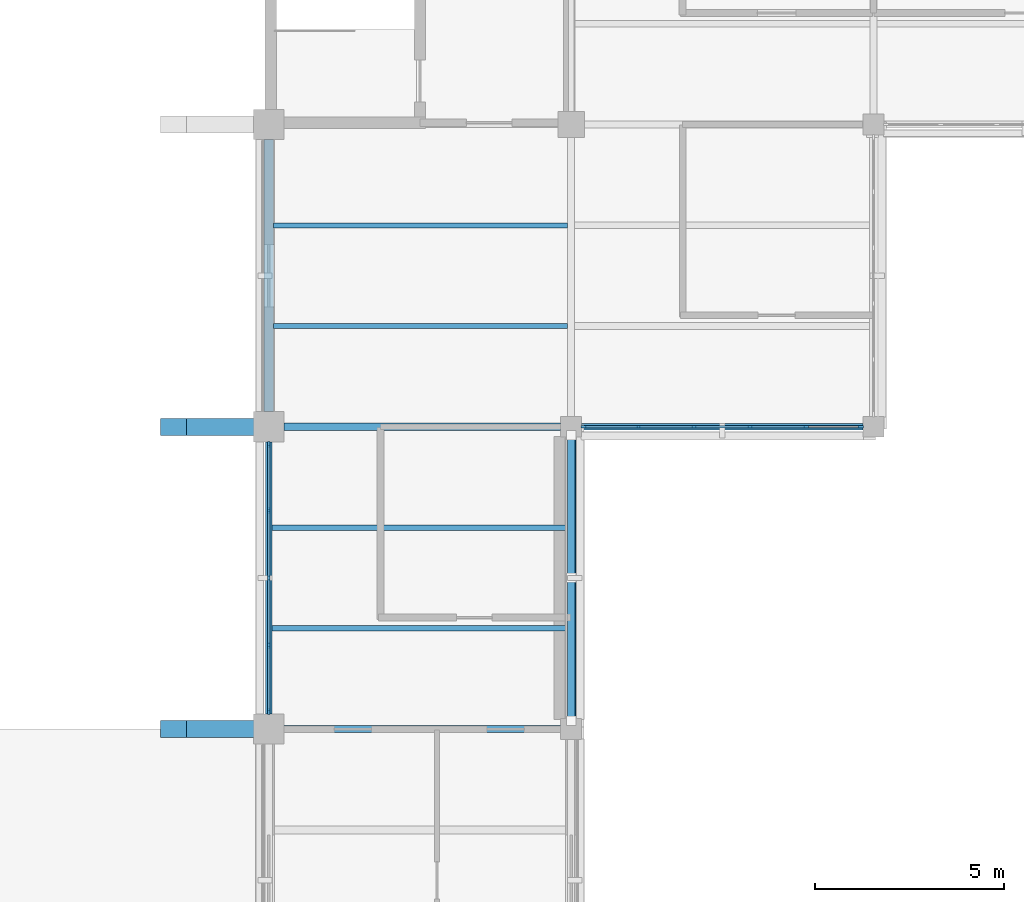
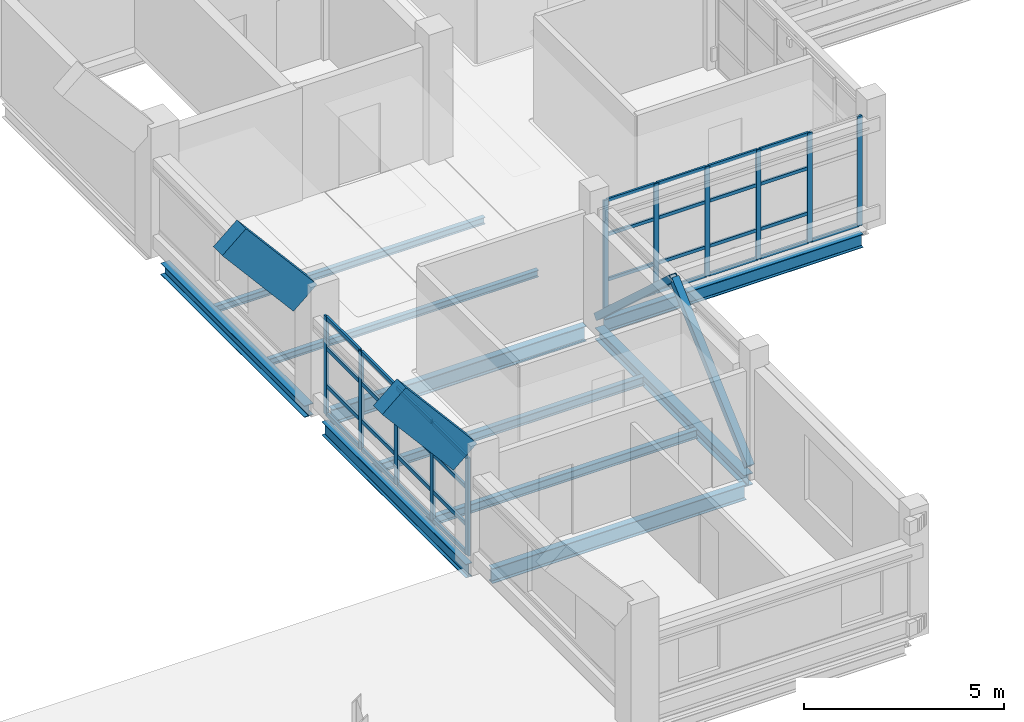
# One storey, part 19 of 92: 46 members, 12 beams, 2 elements without a shape of their own.
"""IFC4 building model written with IfcOpenShell, lengths in metres."""

from ifc_helpers import new_model, si_unit, derived_unit, direction, frame, origin, origin_2d, place, context, subcontext, project, spatial, rectangle, hollow_rectangle, i_section, extrude, material, layer, layer_set, material_profile, profile_set, type_object, element, aggregate, save


model = new_model("IFC4")

# Units and contexts
model_context = context("Model", 3, precision=1e-05, world=origin(), true_north=direction((0.0, 1.0)))
body_context = subcontext(model_context, "Body", "Model", "MODEL_VIEW")
ifc_project = project(units=[si_unit("LENGTHUNIT", "METRE"), si_unit("AREAUNIT", "SQUARE_METRE"), si_unit("VOLUMEUNIT", "CUBIC_METRE"), si_unit("PLANEANGLEUNIT", "RADIAN"), si_unit("MASSUNIT", "GRAM", prefix="KILO"), derived_unit("THERMALTRANSMITTANCEUNIT", [(si_unit("MASSUNIT", "GRAM", prefix="KILO"), 1), (si_unit("TIMEUNIT", "SECOND"), -3), (si_unit("THERMODYNAMICTEMPERATUREUNIT", "KELVIN"), -1)])], contexts=[model_context])

# Site, building, storey
site_placement = place(None, origin())
site = spatial("IfcSite", under=ifc_project, at=site_placement, CompositionType="ELEMENT")
building_placement = place(site_placement, origin())
building = spatial("IfcBuilding", under=site, at=building_placement, Name="Veyamyaing Civic Hall", CompositionType="ELEMENT")
storey_placement = place(building_placement, frame((0.0, 0.0, 17.820068359375)))
storey = spatial("IfcBuildingStorey", under=building, at=storey_placement, Name="L04", CompositionType="ELEMENT", Elevation=17.820068359375)

# Beams
ifc_material_1 = material(Name="Steel ASTM A992", Category="steel")
ifc_material_profile_1 = material_profile(ifc_material_1, i_section(OverallWidth=0.18994140625, OverallDepth=0.45703125, WebThickness=0.009033203125, FlangeThickness=0.014404296875, FilletRadius=0.010009765625, at=origin_2d()), Name="W460X74")
ifc_profile_set_1 = profile_set([ifc_material_profile_1], Name="Steel ASTM A992")
beam_type_1 = type_object("IfcBeamType", Name="B-09", PredefinedType="BEAM", material=ifc_profile_set_1)
beam_1_placement = place(storey_placement, frame((104.39990234375, 32.0, -0.463623046875), z_axis=(1.0, 0.0, 0.0), x_axis=(0.0, 1.0, 0.0)))
element("IfcBeam", 1, at=beam_1_placement, inside=storey, type_object=beam_type_1, Name="Girder B-09 L04 Grid E 14-15", PredefinedType="BEAM", context=body_context, shape_type="SweptSolid", body=[
    extrude(i_section(OverallWidth=0.18994140625, OverallDepth=0.45703125, WebThickness=0.009033203125, FlangeThickness=0.014404296875, FilletRadius=0.010009765625, at=origin_2d()), origin(), (0.0, 0.0, 1.0), 7.3251953125),
])
ifc_material_profile_2 = material_profile(ifc_material_1, i_section(OverallWidth=0.179931640625, OverallDepth=0.4130859375, WebThickness=0.009765625, FlangeThickness=0.01611328125, FilletRadius=0.010009765625, at=origin_2d()), Name="W410X74")
ifc_profile_set_2 = profile_set([ifc_material_profile_2], Name="Steel ASTM A992")
beam_type_2 = type_object("IfcBeamType", Name="B-10", PredefinedType="SPANDREL", material=ifc_profile_set_2)
beam_2_placement = place(storey_placement, frame((112.27490234375, 40.0, -0.441650390625), z_axis=(1.0, 0.0, 0.0), x_axis=(0.0, 1.0, 0.0)))
element("IfcBeam", 2, at=beam_2_placement, inside=storey, type_object=beam_type_2, Name="Girder B-10 L04 Grid F 15-16", PredefinedType="SPANDREL", context=body_context, shape_type="SweptSolid", body=[
    extrude(i_section(OverallWidth=0.179931640625, OverallDepth=0.4130859375, WebThickness=0.009765625, FlangeThickness=0.01611328125, FilletRadius=0.010009765625, at=origin_2d()), origin(), (0.0, 0.0, 1.0), 7.4501953125),
])
ifc_material_profile_3 = material_profile(ifc_material_1, i_section(OverallWidth=0.194091796875, OverallDepth=0.468994140625, WebThickness=0.0126953125, FlangeThickness=0.0205078125, FilletRadius=0.010009765625, at=origin_2d()), Name="W460X106")
ifc_profile_set_3 = profile_set([ifc_material_profile_3], Name="Steel ASTM A992")
beam_type_3 = type_object("IfcBeamType", Name="B-18", PredefinedType="BEAM", material=ifc_profile_set_3)
beam_3_placement = place(storey_placement, frame((104.39990234375, 40.0, -0.469482421875), z_axis=(1.0, 0.0, 0.0), x_axis=(0.0, 1.0, 0.0)))
element("IfcBeam", 3, at=beam_3_placement, inside=storey, type_object=beam_type_3, Name="Girder B-18 L04 Grid F 14-15", PredefinedType="BEAM", context=body_context, shape_type="SweptSolid", body=[
    extrude(i_section(OverallWidth=0.194091796875, OverallDepth=0.468994140625, WebThickness=0.0126953125, FlangeThickness=0.0205078125, FilletRadius=0.010009765625, at=origin_2d()), origin(), (0.0, 0.0, 1.0), 7.3251953125),
])
ifc_material_profile_4 = material_profile(ifc_material_1, i_section(OverallWidth=0.180908203125, OverallDepth=0.4169921875, WebThickness=0.010986328125, FlangeThickness=0.018310546875, FilletRadius=0.010009765625, at=origin_2d()), Name="W410X85")
ifc_profile_set_4 = profile_set([ifc_material_profile_4], Name="Steel ASTM A992")
beam_type_4 = type_object("IfcBeamType", Name="B-19", PredefinedType="SPANDREL", material=ifc_profile_set_4)
beam_4_placement = place(storey_placement, frame((104.0, 32.39990234375, -0.443603515625), z_axis=(0.0, 1.0, 0.0), x_axis=(-1.0, 0.0, 0.0)))
element("IfcBeam", 4, at=beam_4_placement, inside=storey, type_object=beam_type_4, Name="Girder B-19 L04 Grid 14 E-F", PredefinedType="SPANDREL", context=body_context, shape_type="SweptSolid", body=[
    extrude(i_section(OverallWidth=0.180908203125, OverallDepth=0.4169921875, WebThickness=0.010986328125, FlangeThickness=0.018310546875, FilletRadius=0.010009765625, at=origin_2d()), origin(), (0.0, 0.0, 1.0), 7.2001953125),
])
ifc_material_profile_5 = material_profile(ifc_material_1, i_section(OverallWidth=0.25390625, OverallDepth=0.35302734375, WebThickness=0.009521484375, FlangeThickness=0.016357421875, FilletRadius=0.011962890625, at=origin_2d()), Name="W360X91")
ifc_profile_set_5 = profile_set([ifc_material_profile_5], Name="Steel ASTM A992")
beam_type_5 = type_object("IfcBeamType", Name="B-20", PredefinedType="SPANDREL", material=ifc_profile_set_5)
beam_5_placement = place(storey_placement, frame((104.0, 40.39990234375, -0.41162109375), z_axis=(0.0, 1.0, 0.0), x_axis=(-1.0, 0.0, 0.0)))
element("IfcBeam", 5, at=beam_5_placement, inside=storey, type_object=beam_type_5, Name="Girder B-20 L04 Grid 14 F-G", PredefinedType="SPANDREL", context=body_context, shape_type="SweptSolid", body=[
    extrude(i_section(OverallWidth=0.25390625, OverallDepth=0.35302734375, WebThickness=0.009521484375, FlangeThickness=0.016357421875, FilletRadius=0.011962890625, at=origin_2d()), origin(), (0.0, 0.0, 1.0), 7.2001953125),
])
beam_6_placement = place(storey_placement, frame((112.0, 32.27490234375, -0.41162109375), z_axis=(0.0, 1.0, 0.0), x_axis=(-1.0, 0.0, 0.0)))
element("IfcBeam", 6, at=beam_6_placement, inside=storey, type_object=beam_type_5, Name="Girder B-20 L04 Grid 15 E-F", PredefinedType="SPANDREL", context=body_context, shape_type="SweptSolid", body=[
    extrude(i_section(OverallWidth=0.25390625, OverallDepth=0.35302734375, WebThickness=0.009521484375, FlangeThickness=0.016357421875, FilletRadius=0.011962890625, at=origin_2d()), origin(), (0.0, 0.0, 1.0), 7.4501953125),
])

# Members
ifc_material_2 = material(Name="Steel S355J2", Category="steel")
ifc_material_profile_6 = material_profile(ifc_material_2, hollow_rectangle(XDim=0.202880859375, YDim=0.202880859375, WallThickness=0.0126953125, at=origin_2d()), Name="HSS203X203X12.7")
ifc_profile_set_6 = profile_set([ifc_material_profile_6], Name="Steel S355J2")
member_type_1 = type_object("IfcMemberType", Name="BR-02", PredefinedType="BRACE", material=ifc_profile_set_6)
for number, where, z_axis, x_axis, name in (
    (7, (112.0, 32.219970703125, 0.050048828125), (0.0, 0.737646368513, 0.675187259224), (-1.0, 0.0, 0.0), "Seismic chevron brace BR-02 BF-CE L04.L"),
    (8, (112.0, 39.780029296875, 0.050048828125), (0.0, -0.737646368513, 0.675187259224), (1.0, 0.0, 0.0), "Seismic chevron brace BR-02 BF-CE L04.R"),
):
    element("IfcMember", number, at=place(storey_placement, frame(where, z_axis=z_axis, x_axis=x_axis)), inside=storey, type_object=member_type_1, Name=name, PredefinedType="BRACE", context=body_context, shape_type="SweptSolid", body=[
        extrude(hollow_rectangle(XDim=0.202880859375, YDim=0.202880859375, WallThickness=0.0126953125, at=origin_2d()), origin(), (0.0, 0.0, 1.0), 5.12451171875),
    ])

# Curtain wall, members
ifc_material_3 = material(Name="Anodised aluminium 6063-T6", Category="aluminium")
ifc_layer_1 = layer(ifc_material_3, 0.159912109375, Name="Anodised aluminium 6063-T6")
ifc_layer_set_1 = layer_set([ifc_layer_1], Name="Anodised aluminium 6063-T6")
curtain_wall_type_1 = type_object("IfcCurtainWallType", Name="CW-08", PredefinedType="NOTDEFINED", material=ifc_layer_set_1)
curtain_wall_1_placement = place(storey_placement, origin())
curtain_wall_1 = element("IfcCurtainWall", 9, at=curtain_wall_1_placement, inside=storey, type_object=curtain_wall_type_1, Name="Unitized curtain wall CW-08 L04 W 14.5", PredefinedType="NOTDEFINED")
ifc_material_profile_7 = material_profile(ifc_material_3, rectangle(XDim=0.06494140625, YDim=0.159912109375, at=origin_2d()), Name="ALU-MUL-65X160")
ifc_profile_set_7 = profile_set([ifc_material_profile_7], Name="Anodised aluminium 6063-T6")
member_type_2 = type_object("IfcMemberType", Name="CWM-01", PredefinedType="MULLION", material=ifc_profile_set_7)
member_1_placement = place(storey_placement, frame((104.0, 32.46240234375, 0.0), z_axis=(0.0, 0.0, 1.0), x_axis=(-1.0, 0.0, 0.0)))
member_1 = element("IfcMember", 10, at=member_1_placement, type_object=member_type_2, Name="CW-08 mullion 1", PredefinedType="MULLION", context=body_context, shape_type="SweptSolid", body=[
    extrude(rectangle(XDim=0.06494140625, YDim=0.159912109375, at=origin_2d()), origin(), (0.0, 0.0, 1.0), 3.001953125),
])
member_2_placement = place(storey_placement, frame((104.0, 34.215087890625, 0.0), z_axis=(0.0, 0.0, 1.0), x_axis=(-1.0, 0.0, 0.0)))
member_2 = element("IfcMember", 11, at=member_2_placement, type_object=member_type_2, Name="CW-08 mullion 2", PredefinedType="MULLION", context=body_context, shape_type="SweptSolid", body=[
    extrude(rectangle(XDim=0.06494140625, YDim=0.159912109375, at=origin_2d()), origin(), (0.0, 0.0, 1.0), 3.001953125),
])
member_3_placement = place(storey_placement, frame((104.0, 36.0, 0.0), z_axis=(0.0, 0.0, 1.0), x_axis=(-1.0, 0.0, 0.0)))
member_3 = element("IfcMember", 12, at=member_3_placement, type_object=member_type_2, Name="CW-08 mullion 3", PredefinedType="MULLION", context=body_context, shape_type="SweptSolid", body=[
    extrude(rectangle(XDim=0.06494140625, YDim=0.159912109375, at=origin_2d()), origin(), (0.0, 0.0, 1.0), 3.001953125),
])
member_4_placement = place(storey_placement, frame((104.0, 37.784912109375, 0.0), z_axis=(0.0, 0.0, 1.0), x_axis=(-1.0, 0.0, 0.0)))
member_4 = element("IfcMember", 13, at=member_4_placement, type_object=member_type_2, Name="CW-08 mullion 4", PredefinedType="MULLION", context=body_context, shape_type="SweptSolid", body=[
    extrude(rectangle(XDim=0.06494140625, YDim=0.159912109375, at=origin_2d()), origin(), (0.0, 0.0, 1.0), 3.001953125),
])
member_5_placement = place(storey_placement, frame((104.0, 39.53759765625, 0.0), z_axis=(0.0, 0.0, 1.0), x_axis=(-1.0, 0.0, 0.0)))
member_5 = element("IfcMember", 14, at=member_5_placement, type_object=member_type_2, Name="CW-08 mullion 5", PredefinedType="MULLION", context=body_context, shape_type="SweptSolid", body=[
    extrude(rectangle(XDim=0.06494140625, YDim=0.159912109375, at=origin_2d()), origin(), (0.0, 0.0, 1.0), 3.001953125),
])

ifc_layer_2 = layer(ifc_material_3, 0.139892578125, Name="Anodised aluminium 6063-T6")
ifc_layer_set_2 = layer_set([ifc_layer_2], Name="Anodised aluminium 6063-T6")
curtain_wall_type_2 = type_object("IfcCurtainWallType", Name="CW-04", PredefinedType="NOTDEFINED", material=ifc_layer_set_2)
curtain_wall_2_placement = place(storey_placement, origin())
curtain_wall_2 = element("IfcCurtainWall", 15, at=curtain_wall_2_placement, inside=storey, type_object=curtain_wall_type_2, Name="Unitized curtain wall CW-04 L04 S 15.6", PredefinedType="NOTDEFINED")
ifc_material_profile_8 = material_profile(ifc_material_3, rectangle(XDim=0.06005859375, YDim=0.139892578125, at=origin_2d()), Name="ALU-MUL-60X140")
ifc_profile_set_8 = profile_set([ifc_material_profile_8], Name="Anodised aluminium 6063-T6")
member_type_3 = type_object("IfcMemberType", Name="CWM-03", PredefinedType="MULLION", material=ifc_profile_set_8)
member_6_placement = place(storey_placement, frame((112.3349609375, 40.0, 0.0), z_axis=(0.0, 0.0, 1.0), x_axis=(0.0, 1.0, 0.0)))
member_6 = element("IfcMember", 16, at=member_6_placement, type_object=member_type_3, Name="CW-04 mullion 1", PredefinedType="MULLION", context=body_context, shape_type="SweptSolid", body=[
    extrude(rectangle(XDim=0.06005859375, YDim=0.139892578125, at=origin_2d()), origin(), (0.0, 0.0, 1.0), 3.35205078125),
])
member_7_placement = place(storey_placement, frame((113.782958984375, 40.0, 0.0), z_axis=(0.0, 0.0, 1.0), x_axis=(0.0, 1.0, 0.0)))
member_7 = element("IfcMember", 17, at=member_7_placement, type_object=member_type_3, Name="CW-04 mullion 2", PredefinedType="MULLION", context=body_context, shape_type="SweptSolid", body=[
    extrude(rectangle(XDim=0.06005859375, YDim=0.139892578125, at=origin_2d()), origin(), (0.0, 0.0, 1.0), 3.35205078125),
])
member_8_placement = place(storey_placement, frame((115.260986328125, 40.0, 0.0), z_axis=(0.0, 0.0, 1.0), x_axis=(0.0, 1.0, 0.0)))
member_8 = element("IfcMember", 18, at=member_8_placement, type_object=member_type_3, Name="CW-04 mullion 3", PredefinedType="MULLION", context=body_context, shape_type="SweptSolid", body=[
    extrude(rectangle(XDim=0.06005859375, YDim=0.139892578125, at=origin_2d()), origin(), (0.0, 0.0, 1.0), 3.35205078125),
])
member_9_placement = place(storey_placement, frame((116.739013671875, 40.0, 0.0), z_axis=(0.0, 0.0, 1.0), x_axis=(0.0, 1.0, 0.0)))
member_9 = element("IfcMember", 19, at=member_9_placement, type_object=member_type_3, Name="CW-04 mullion 4", PredefinedType="MULLION", context=body_context, shape_type="SweptSolid", body=[
    extrude(rectangle(XDim=0.06005859375, YDim=0.139892578125, at=origin_2d()), origin(), (0.0, 0.0, 1.0), 3.35205078125),
])
member_10_placement = place(storey_placement, frame((118.217041015625, 40.0, 0.0), z_axis=(0.0, 0.0, 1.0), x_axis=(0.0, 1.0, 0.0)))
member_10 = element("IfcMember", 20, at=member_10_placement, type_object=member_type_3, Name="CW-04 mullion 5", PredefinedType="MULLION", context=body_context, shape_type="SweptSolid", body=[
    extrude(rectangle(XDim=0.06005859375, YDim=0.139892578125, at=origin_2d()), origin(), (0.0, 0.0, 1.0), 3.35205078125),
])
member_11_placement = place(storey_placement, frame((119.6650390625, 40.0, 0.0), z_axis=(0.0, 0.0, 1.0), x_axis=(0.0, 1.0, 0.0)))
member_11 = element("IfcMember", 21, at=member_11_placement, type_object=member_type_3, Name="CW-04 mullion 6", PredefinedType="MULLION", context=body_context, shape_type="SweptSolid", body=[
    extrude(rectangle(XDim=0.06005859375, YDim=0.139892578125, at=origin_2d()), origin(), (0.0, 0.0, 1.0), 3.35205078125),
])

# Member
ifc_material_profile_9 = material_profile(ifc_material_3, rectangle(XDim=0.06494140625, YDim=0.1201171875, at=origin_2d()), Name="ALU-TRN-65X120")
ifc_profile_set_9 = profile_set([ifc_material_profile_9], Name="Anodised aluminium 6063-T6")
member_type_4 = type_object("IfcMemberType", Name="CWT-01", PredefinedType="USERDEFINED", material=ifc_profile_set_9)
member_12_placement = place(storey_placement, frame((104.0, 32.4951171875, 0.032470703125), z_axis=(0.0, 1.0, 0.0), x_axis=(-1.0, 0.0, 0.0)))
member_12 = element("IfcMember", 22, at=member_12_placement, type_object=member_type_4, Name="CW-08 transom 1.1", ObjectType="TRANSOM", PredefinedType="USERDEFINED", context=body_context, shape_type="SweptSolid", body=[
    extrude(rectangle(XDim=0.06494140625, YDim=0.1201171875, at=origin_2d()), origin(), (0.0, 0.0, 1.0), 1.6875),
])

member_13_placement = place(storey_placement, frame((104.0, 32.4951171875, 0.89990234375), z_axis=(0.0, 1.0, 0.0), x_axis=(-1.0, 0.0, 0.0)))
member_13 = element("IfcMember", 23, at=member_13_placement, type_object=member_type_4, Name="CW-08 transom 1.2", ObjectType="TRANSOM", PredefinedType="USERDEFINED", context=body_context, shape_type="SweptSolid", body=[
    extrude(rectangle(XDim=0.06494140625, YDim=0.1201171875, at=origin_2d()), origin(), (0.0, 0.0, 1.0), 1.6875),
])

member_14_placement = place(storey_placement, frame((104.0, 32.4951171875, 2.041259765625), z_axis=(0.0, 1.0, 0.0), x_axis=(-1.0, 0.0, 0.0)))
member_14 = element("IfcMember", 24, at=member_14_placement, type_object=member_type_4, Name="CW-08 transom 1.3", ObjectType="TRANSOM", PredefinedType="USERDEFINED", context=body_context, shape_type="SweptSolid", body=[
    extrude(rectangle(XDim=0.06494140625, YDim=0.1201171875, at=origin_2d()), origin(), (0.0, 0.0, 1.0), 1.6875),
])

member_15_placement = place(storey_placement, frame((104.0, 32.4951171875, 2.969482421875), z_axis=(0.0, 1.0, 0.0), x_axis=(-1.0, 0.0, 0.0)))
member_15 = element("IfcMember", 25, at=member_15_placement, type_object=member_type_4, Name="CW-08 transom 1.4", ObjectType="TRANSOM", PredefinedType="USERDEFINED", context=body_context, shape_type="SweptSolid", body=[
    extrude(rectangle(XDim=0.06494140625, YDim=0.1201171875, at=origin_2d()), origin(), (0.0, 0.0, 1.0), 1.6875),
])

member_16_placement = place(storey_placement, frame((104.0, 34.24755859375, 0.032470703125), z_axis=(0.0, 1.0, 0.0), x_axis=(-1.0, 0.0, 0.0)))
member_16 = element("IfcMember", 26, at=member_16_placement, type_object=member_type_4, Name="CW-08 transom 2.1", ObjectType="TRANSOM", PredefinedType="USERDEFINED", context=body_context, shape_type="SweptSolid", body=[
    extrude(rectangle(XDim=0.06494140625, YDim=0.1201171875, at=origin_2d()), origin(), (0.0, 0.0, 1.0), 1.719970703125),
])

member_17_placement = place(storey_placement, frame((104.0, 34.24755859375, 0.89990234375), z_axis=(0.0, 1.0, 0.0), x_axis=(-1.0, 0.0, 0.0)))
member_17 = element("IfcMember", 27, at=member_17_placement, type_object=member_type_4, Name="CW-08 transom 2.2", ObjectType="TRANSOM", PredefinedType="USERDEFINED", context=body_context, shape_type="SweptSolid", body=[
    extrude(rectangle(XDim=0.06494140625, YDim=0.1201171875, at=origin_2d()), origin(), (0.0, 0.0, 1.0), 1.719970703125),
])

member_18_placement = place(storey_placement, frame((104.0, 34.24755859375, 2.041259765625), z_axis=(0.0, 1.0, 0.0), x_axis=(-1.0, 0.0, 0.0)))
member_18 = element("IfcMember", 28, at=member_18_placement, type_object=member_type_4, Name="CW-08 transom 2.3", ObjectType="TRANSOM", PredefinedType="USERDEFINED", context=body_context, shape_type="SweptSolid", body=[
    extrude(rectangle(XDim=0.06494140625, YDim=0.1201171875, at=origin_2d()), origin(), (0.0, 0.0, 1.0), 1.719970703125),
])

member_19_placement = place(storey_placement, frame((104.0, 34.24755859375, 2.969482421875), z_axis=(0.0, 1.0, 0.0), x_axis=(-1.0, 0.0, 0.0)))
member_19 = element("IfcMember", 29, at=member_19_placement, type_object=member_type_4, Name="CW-08 transom 2.4", ObjectType="TRANSOM", PredefinedType="USERDEFINED", context=body_context, shape_type="SweptSolid", body=[
    extrude(rectangle(XDim=0.06494140625, YDim=0.1201171875, at=origin_2d()), origin(), (0.0, 0.0, 1.0), 1.719970703125),
])

member_20_placement = place(storey_placement, frame((104.0, 36.032470703125, 0.032470703125), z_axis=(0.0, 1.0, 0.0), x_axis=(-1.0, 0.0, 0.0)))
member_20 = element("IfcMember", 30, at=member_20_placement, type_object=member_type_4, Name="CW-08 transom 3.1", ObjectType="TRANSOM", PredefinedType="USERDEFINED", context=body_context, shape_type="SweptSolid", body=[
    extrude(rectangle(XDim=0.06494140625, YDim=0.1201171875, at=origin_2d()), origin(), (0.0, 0.0, 1.0), 1.719970703125),
])

member_21_placement = place(storey_placement, frame((104.0, 36.032470703125, 0.89990234375), z_axis=(0.0, 1.0, 0.0), x_axis=(-1.0, 0.0, 0.0)))
member_21 = element("IfcMember", 31, at=member_21_placement, type_object=member_type_4, Name="CW-08 transom 3.2", ObjectType="TRANSOM", PredefinedType="USERDEFINED", context=body_context, shape_type="SweptSolid", body=[
    extrude(rectangle(XDim=0.06494140625, YDim=0.1201171875, at=origin_2d()), origin(), (0.0, 0.0, 1.0), 1.719970703125),
])

member_22_placement = place(storey_placement, frame((104.0, 36.032470703125, 2.041259765625), z_axis=(0.0, 1.0, 0.0), x_axis=(-1.0, 0.0, 0.0)))
member_22 = element("IfcMember", 32, at=member_22_placement, type_object=member_type_4, Name="CW-08 transom 3.3", ObjectType="TRANSOM", PredefinedType="USERDEFINED", context=body_context, shape_type="SweptSolid", body=[
    extrude(rectangle(XDim=0.06494140625, YDim=0.1201171875, at=origin_2d()), origin(), (0.0, 0.0, 1.0), 1.719970703125),
])

member_23_placement = place(storey_placement, frame((104.0, 36.032470703125, 2.969482421875), z_axis=(0.0, 1.0, 0.0), x_axis=(-1.0, 0.0, 0.0)))
member_23 = element("IfcMember", 33, at=member_23_placement, type_object=member_type_4, Name="CW-08 transom 3.4", ObjectType="TRANSOM", PredefinedType="USERDEFINED", context=body_context, shape_type="SweptSolid", body=[
    extrude(rectangle(XDim=0.06494140625, YDim=0.1201171875, at=origin_2d()), origin(), (0.0, 0.0, 1.0), 1.719970703125),
])

member_24_placement = place(storey_placement, frame((104.0, 37.8173828125, 0.032470703125), z_axis=(0.0, 1.0, 0.0), x_axis=(-1.0, 0.0, 0.0)))
member_24 = element("IfcMember", 34, at=member_24_placement, type_object=member_type_4, Name="CW-08 transom 4.1", ObjectType="TRANSOM", PredefinedType="USERDEFINED", context=body_context, shape_type="SweptSolid", body=[
    extrude(rectangle(XDim=0.06494140625, YDim=0.1201171875, at=origin_2d()), origin(), (0.0, 0.0, 1.0), 1.6875),
])

member_25_placement = place(storey_placement, frame((104.0, 37.8173828125, 0.89990234375), z_axis=(0.0, 1.0, 0.0), x_axis=(-1.0, 0.0, 0.0)))
member_25 = element("IfcMember", 35, at=member_25_placement, type_object=member_type_4, Name="CW-08 transom 4.2", ObjectType="TRANSOM", PredefinedType="USERDEFINED", context=body_context, shape_type="SweptSolid", body=[
    extrude(rectangle(XDim=0.06494140625, YDim=0.1201171875, at=origin_2d()), origin(), (0.0, 0.0, 1.0), 1.6875),
])

member_26_placement = place(storey_placement, frame((104.0, 37.8173828125, 2.041259765625), z_axis=(0.0, 1.0, 0.0), x_axis=(-1.0, 0.0, 0.0)))
member_26 = element("IfcMember", 36, at=member_26_placement, type_object=member_type_4, Name="CW-08 transom 4.3", ObjectType="TRANSOM", PredefinedType="USERDEFINED", context=body_context, shape_type="SweptSolid", body=[
    extrude(rectangle(XDim=0.06494140625, YDim=0.1201171875, at=origin_2d()), origin(), (0.0, 0.0, 1.0), 1.6875),
])

member_27_placement = place(storey_placement, frame((104.0, 37.8173828125, 2.969482421875), z_axis=(0.0, 1.0, 0.0), x_axis=(-1.0, 0.0, 0.0)))
member_27 = element("IfcMember", 37, at=member_27_placement, type_object=member_type_4, Name="CW-08 transom 4.4", ObjectType="TRANSOM", PredefinedType="USERDEFINED", context=body_context, shape_type="SweptSolid", body=[
    extrude(rectangle(XDim=0.06494140625, YDim=0.1201171875, at=origin_2d()), origin(), (0.0, 0.0, 1.0), 1.6875),
])

aggregate(curtain_wall_1, [member_1, member_2, member_3, member_4, member_5, member_12, member_13, member_14, member_15, member_16, member_17, member_18, member_19, member_20, member_21, member_22, member_23, member_24, member_25, member_26, member_27])

ifc_material_profile_10 = material_profile(ifc_material_3, rectangle(XDim=0.06005859375, YDim=0.10009765625, at=origin_2d()), Name="ALU-TRN-60X100")
ifc_profile_set_10 = profile_set([ifc_material_profile_10], Name="Anodised aluminium 6063-T6")
member_type_5 = type_object("IfcMemberType", Name="CWT-03", PredefinedType="USERDEFINED", material=ifc_profile_set_10)
member_28_placement = place(storey_placement, frame((112.364990234375, 40.0, 0.030029296875), z_axis=(1.0, 0.0, 0.0), x_axis=(0.0, 1.0, 0.0)))
member_28 = element("IfcMember", 38, at=member_28_placement, type_object=member_type_5, Name="CW-04 transom 1.1", ObjectType="TRANSOM", PredefinedType="USERDEFINED", context=body_context, shape_type="SweptSolid", body=[
    extrude(rectangle(XDim=0.06005859375, YDim=0.10009765625, at=origin_2d()), origin(), (0.0, 0.0, 1.0), 1.387939453125),
])

member_29_placement = place(storey_placement, frame((112.364990234375, 40.0, 0.89990234375), z_axis=(1.0, 0.0, 0.0), x_axis=(0.0, 1.0, 0.0)))
member_29 = element("IfcMember", 39, at=member_29_placement, type_object=member_type_5, Name="CW-04 transom 1.2", ObjectType="TRANSOM", PredefinedType="USERDEFINED", context=body_context, shape_type="SweptSolid", body=[
    extrude(rectangle(XDim=0.06005859375, YDim=0.10009765625, at=origin_2d()), origin(), (0.0, 0.0, 1.0), 1.387939453125),
])

member_30_placement = place(storey_placement, frame((112.364990234375, 40.0, 2.279296875), z_axis=(1.0, 0.0, 0.0), x_axis=(0.0, 1.0, 0.0)))
member_30 = element("IfcMember", 40, at=member_30_placement, type_object=member_type_5, Name="CW-04 transom 1.3", ObjectType="TRANSOM", PredefinedType="USERDEFINED", context=body_context, shape_type="SweptSolid", body=[
    extrude(rectangle(XDim=0.06005859375, YDim=0.10009765625, at=origin_2d()), origin(), (0.0, 0.0, 1.0), 1.387939453125),
])

member_31_placement = place(storey_placement, frame((112.364990234375, 40.0, 3.322021484375), z_axis=(1.0, 0.0, 0.0), x_axis=(0.0, 1.0, 0.0)))
member_31 = element("IfcMember", 41, at=member_31_placement, type_object=member_type_5, Name="CW-04 transom 1.4", ObjectType="TRANSOM", PredefinedType="USERDEFINED", context=body_context, shape_type="SweptSolid", body=[
    extrude(rectangle(XDim=0.06005859375, YDim=0.10009765625, at=origin_2d()), origin(), (0.0, 0.0, 1.0), 1.387939453125),
])

member_32_placement = place(storey_placement, frame((113.81298828125, 40.0, 0.030029296875), z_axis=(1.0, 0.0, 0.0), x_axis=(0.0, 1.0, 0.0)))
member_32 = element("IfcMember", 42, at=member_32_placement, type_object=member_type_5, Name="CW-04 transom 2.1", ObjectType="TRANSOM", PredefinedType="USERDEFINED", context=body_context, shape_type="SweptSolid", body=[
    extrude(rectangle(XDim=0.06005859375, YDim=0.10009765625, at=origin_2d()), origin(), (0.0, 0.0, 1.0), 1.41796875),
])

member_33_placement = place(storey_placement, frame((113.81298828125, 40.0, 0.89990234375), z_axis=(1.0, 0.0, 0.0), x_axis=(0.0, 1.0, 0.0)))
member_33 = element("IfcMember", 43, at=member_33_placement, type_object=member_type_5, Name="CW-04 transom 2.2", ObjectType="TRANSOM", PredefinedType="USERDEFINED", context=body_context, shape_type="SweptSolid", body=[
    extrude(rectangle(XDim=0.06005859375, YDim=0.10009765625, at=origin_2d()), origin(), (0.0, 0.0, 1.0), 1.41796875),
])

member_34_placement = place(storey_placement, frame((113.81298828125, 40.0, 2.279296875), z_axis=(1.0, 0.0, 0.0), x_axis=(0.0, 1.0, 0.0)))
member_34 = element("IfcMember", 44, at=member_34_placement, type_object=member_type_5, Name="CW-04 transom 2.3", ObjectType="TRANSOM", PredefinedType="USERDEFINED", context=body_context, shape_type="SweptSolid", body=[
    extrude(rectangle(XDim=0.06005859375, YDim=0.10009765625, at=origin_2d()), origin(), (0.0, 0.0, 1.0), 1.41796875),
])

member_35_placement = place(storey_placement, frame((113.81298828125, 40.0, 3.322021484375), z_axis=(1.0, 0.0, 0.0), x_axis=(0.0, 1.0, 0.0)))
member_35 = element("IfcMember", 45, at=member_35_placement, type_object=member_type_5, Name="CW-04 transom 2.4", ObjectType="TRANSOM", PredefinedType="USERDEFINED", context=body_context, shape_type="SweptSolid", body=[
    extrude(rectangle(XDim=0.06005859375, YDim=0.10009765625, at=origin_2d()), origin(), (0.0, 0.0, 1.0), 1.41796875),
])

member_36_placement = place(storey_placement, frame((115.291015625, 40.0, 0.030029296875), z_axis=(1.0, 0.0, 0.0), x_axis=(0.0, 1.0, 0.0)))
member_36 = element("IfcMember", 46, at=member_36_placement, type_object=member_type_5, Name="CW-04 transom 3.1", ObjectType="TRANSOM", PredefinedType="USERDEFINED", context=body_context, shape_type="SweptSolid", body=[
    extrude(rectangle(XDim=0.06005859375, YDim=0.10009765625, at=origin_2d()), origin(), (0.0, 0.0, 1.0), 1.41796875),
])

member_37_placement = place(storey_placement, frame((115.291015625, 40.0, 0.89990234375), z_axis=(1.0, 0.0, 0.0), x_axis=(0.0, 1.0, 0.0)))
member_37 = element("IfcMember", 47, at=member_37_placement, type_object=member_type_5, Name="CW-04 transom 3.2", ObjectType="TRANSOM", PredefinedType="USERDEFINED", context=body_context, shape_type="SweptSolid", body=[
    extrude(rectangle(XDim=0.06005859375, YDim=0.10009765625, at=origin_2d()), origin(), (0.0, 0.0, 1.0), 1.41796875),
])

member_38_placement = place(storey_placement, frame((115.291015625, 40.0, 2.279296875), z_axis=(1.0, 0.0, 0.0), x_axis=(0.0, 1.0, 0.0)))
member_38 = element("IfcMember", 48, at=member_38_placement, type_object=member_type_5, Name="CW-04 transom 3.3", ObjectType="TRANSOM", PredefinedType="USERDEFINED", context=body_context, shape_type="SweptSolid", body=[
    extrude(rectangle(XDim=0.06005859375, YDim=0.10009765625, at=origin_2d()), origin(), (0.0, 0.0, 1.0), 1.41796875),
])

member_39_placement = place(storey_placement, frame((115.291015625, 40.0, 3.322021484375), z_axis=(1.0, 0.0, 0.0), x_axis=(0.0, 1.0, 0.0)))
member_39 = element("IfcMember", 49, at=member_39_placement, type_object=member_type_5, Name="CW-04 transom 3.4", ObjectType="TRANSOM", PredefinedType="USERDEFINED", context=body_context, shape_type="SweptSolid", body=[
    extrude(rectangle(XDim=0.06005859375, YDim=0.10009765625, at=origin_2d()), origin(), (0.0, 0.0, 1.0), 1.41796875),
])

member_40_placement = place(storey_placement, frame((116.76904296875, 40.0, 0.030029296875), z_axis=(1.0, 0.0, 0.0), x_axis=(0.0, 1.0, 0.0)))
member_40 = element("IfcMember", 50, at=member_40_placement, type_object=member_type_5, Name="CW-04 transom 4.1", ObjectType="TRANSOM", PredefinedType="USERDEFINED", context=body_context, shape_type="SweptSolid", body=[
    extrude(rectangle(XDim=0.06005859375, YDim=0.10009765625, at=origin_2d()), origin(), (0.0, 0.0, 1.0), 1.41796875),
])

member_41_placement = place(storey_placement, frame((116.76904296875, 40.0, 0.89990234375), z_axis=(1.0, 0.0, 0.0), x_axis=(0.0, 1.0, 0.0)))
member_41 = element("IfcMember", 51, at=member_41_placement, type_object=member_type_5, Name="CW-04 transom 4.2", ObjectType="TRANSOM", PredefinedType="USERDEFINED", context=body_context, shape_type="SweptSolid", body=[
    extrude(rectangle(XDim=0.06005859375, YDim=0.10009765625, at=origin_2d()), origin(), (0.0, 0.0, 1.0), 1.41796875),
])

member_42_placement = place(storey_placement, frame((116.76904296875, 40.0, 2.279296875), z_axis=(1.0, 0.0, 0.0), x_axis=(0.0, 1.0, 0.0)))
member_42 = element("IfcMember", 52, at=member_42_placement, type_object=member_type_5, Name="CW-04 transom 4.3", ObjectType="TRANSOM", PredefinedType="USERDEFINED", context=body_context, shape_type="SweptSolid", body=[
    extrude(rectangle(XDim=0.06005859375, YDim=0.10009765625, at=origin_2d()), origin(), (0.0, 0.0, 1.0), 1.41796875),
])

member_43_placement = place(storey_placement, frame((116.76904296875, 40.0, 3.322021484375), z_axis=(1.0, 0.0, 0.0), x_axis=(0.0, 1.0, 0.0)))
member_43 = element("IfcMember", 53, at=member_43_placement, type_object=member_type_5, Name="CW-04 transom 4.4", ObjectType="TRANSOM", PredefinedType="USERDEFINED", context=body_context, shape_type="SweptSolid", body=[
    extrude(rectangle(XDim=0.06005859375, YDim=0.10009765625, at=origin_2d()), origin(), (0.0, 0.0, 1.0), 1.41796875),
])

member_44_placement = place(storey_placement, frame((118.2470703125, 40.0, 0.030029296875), z_axis=(1.0, 0.0, 0.0), x_axis=(0.0, 1.0, 0.0)))
member_44 = element("IfcMember", 54, at=member_44_placement, type_object=member_type_5, Name="CW-04 transom 5.1", ObjectType="TRANSOM", PredefinedType="USERDEFINED", context=body_context, shape_type="SweptSolid", body=[
    extrude(rectangle(XDim=0.06005859375, YDim=0.10009765625, at=origin_2d()), origin(), (0.0, 0.0, 1.0), 1.387939453125),
])

aggregate(curtain_wall_2, [member_6, member_7, member_8, member_9, member_10, member_11, member_28, member_29, member_30, member_31, member_32, member_33, member_34, member_35, member_36, member_37, member_38, member_39, member_40, member_41, member_42, member_43, member_44])

# Beams
ifc_material_profile_11 = material_profile(ifc_material_1, i_section(OverallWidth=0.14794921875, OverallDepth=0.26611328125, WebThickness=0.007568359375, FlangeThickness=0.012939453125, FilletRadius=0.010009765625, at=origin_2d()), Name="W250X45")
ifc_profile_set_11 = profile_set([ifc_material_profile_11], Name="Steel ASTM A992")
beam_type_6 = type_object("IfcBeamType", Name="J-07", PredefinedType="JOIST", material=ifc_profile_set_11)
for number, where, z_axis, x_axis, name in (
    (55, (104.08837890625, 34.666748046875, -0.3681640625), (1.0, 0.0, 0.0), (0.0, 1.0, 0.0), "Composite floor joist J-07 L04 14.5.1"),
    (56, (104.08837890625, 37.333251953125, -0.3681640625), (1.0, 0.0, 0.0), (0.0, 1.0, 0.0), "Composite floor joist J-07 L04 14.5.2"),
):
    element("IfcBeam", number, at=place(storey_placement, frame(where, z_axis=z_axis, x_axis=x_axis)), inside=storey, type_object=beam_type_6, Name=name, PredefinedType="JOIST", context=body_context, shape_type="SweptSolid", body=[
        extrude(i_section(OverallWidth=0.14794921875, OverallDepth=0.26611328125, WebThickness=0.007568359375, FlangeThickness=0.012939453125, FilletRadius=0.010009765625, at=origin_2d()), origin(), (0.0, 0.0, 1.0), 7.78662109375),
    ])
ifc_material_profile_12 = material_profile(ifc_material_1, i_section(OverallWidth=0.133056640625, OverallDepth=0.20703125, WebThickness=0.005859375, FlangeThickness=0.00830078125, FilletRadius=0.010009765625, at=origin_2d()), Name="W200X27")
ifc_profile_set_12 = profile_set([ifc_material_profile_12], Name="Steel ASTM A992")
beam_type_7 = type_object("IfcBeamType", Name="J-08", PredefinedType="JOIST", material=ifc_profile_set_12)
for number, where, z_axis, x_axis, name in (
    (57, (104.125, 42.666748046875, -0.338623046875), (1.0, 0.0, 0.0), (0.0, 1.0, 0.0), "Composite floor joist J-08 L04 14.6.1"),
    (58, (104.125, 45.333251953125, -0.338623046875), (1.0, 0.0, 0.0), (0.0, 1.0, 0.0), "Composite floor joist J-08 L04 14.6.2"),
):
    element("IfcBeam", number, at=place(storey_placement, frame(where, z_axis=z_axis, x_axis=x_axis)), inside=storey, type_object=beam_type_7, Name=name, PredefinedType="JOIST", context=body_context, shape_type="SweptSolid", body=[
        extrude(i_section(OverallWidth=0.133056640625, OverallDepth=0.20703125, WebThickness=0.005859375, FlangeThickness=0.00830078125, FilletRadius=0.010009765625, at=origin_2d()), origin(), (0.0, 0.0, 1.0), 7.781982421875),
    ])
ifc_material_4 = material(Name="Concrete C40/50", Category="concrete")
ifc_material_profile_13 = material_profile(ifc_material_4, rectangle(XDim=0.449951171875, YDim=0.89990234375, at=origin_2d()), Name="RC-ARCH-450X900")
ifc_profile_set_13 = profile_set([ifc_material_profile_13], Name="Concrete C40/50")
beam_type_8 = type_object("IfcBeamType", Name="VR-01", PredefinedType="BEAM", material=ifc_profile_set_13)
for number, where, z_axis, x_axis, name in (
    (59, (101.478515625, 32.0, 5.984130859375), (0.647708679009, 0.0, -0.761888093578), (0.0, 1.0, 0.0), "Council Chamber Vault Arch Rib VR-01 R2.F11"),
    (60, (101.478515625, 40.0, 5.984130859375), (0.647708679009, 0.0, -0.761888093578), (0.0, 1.0, 0.0), "Council Chamber Vault Arch Rib VR-01 R3.F11"),
):
    element("IfcBeam", number, at=place(storey_placement, frame(where, z_axis=z_axis, x_axis=x_axis)), inside=storey, type_object=beam_type_8, Name=name, PredefinedType="BEAM", context=body_context, shape_type="SweptSolid", body=[
        extrude(rectangle(XDim=0.449951171875, YDim=0.89990234375, at=origin_2d()), origin(), (0.0, 0.0, 1.0), 3.17529296875),
    ])

save(model, "model.ifc")
